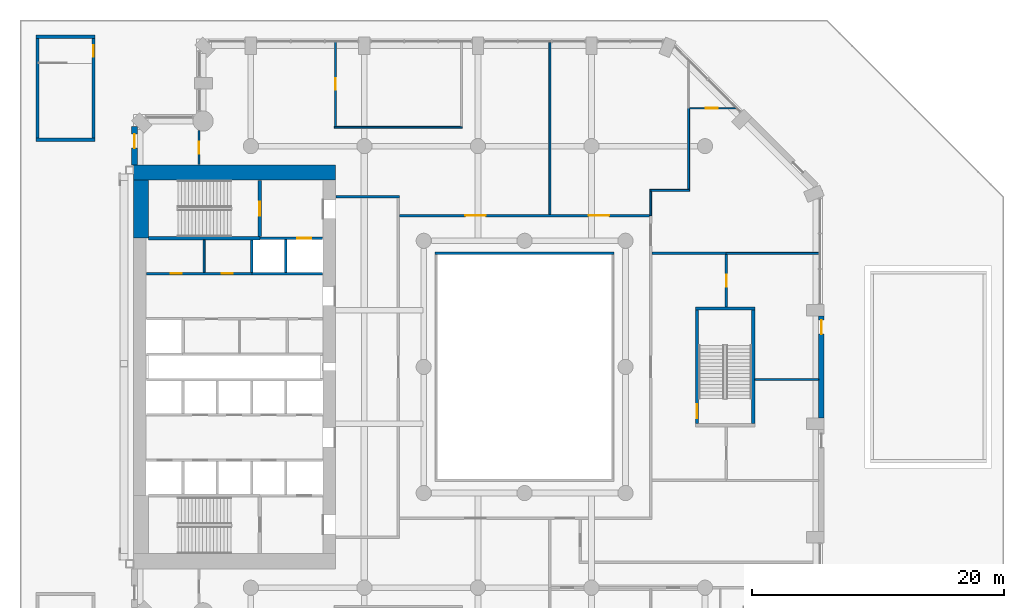
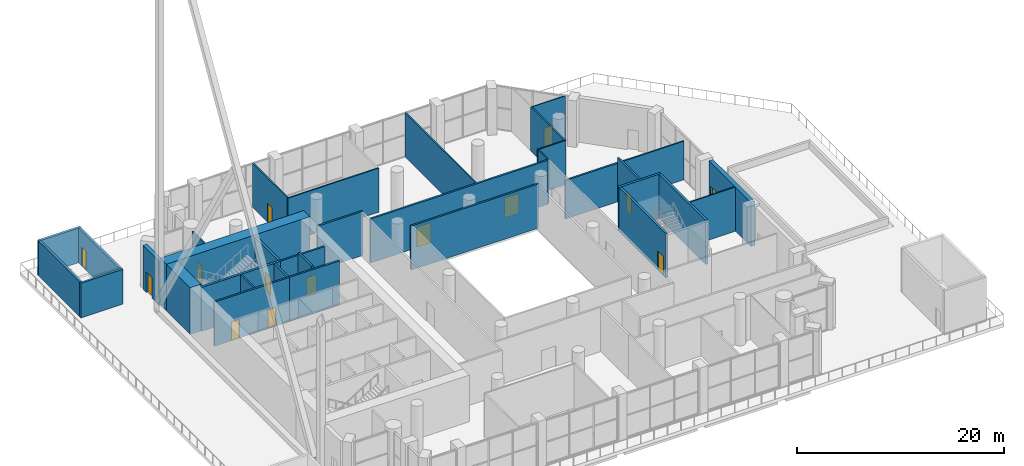
# One storey, part 15 of 26: 34 walls, 14 doors, 14 openings.
"""IFC4 building model written with IfcOpenShell, lengths in metres."""

from ifc_helpers import new_model, si_unit, direction, frame, frame_2d, origin, place, context, subcontext, project, spatial, rectangle, extrude, material, layer, layer_set, type_object, element, fill, save


model = new_model("IFC4")

# Units and contexts
model_context = context("Model", 3, precision=1e-05, world=origin(), true_north=direction((0.0, 1.0)))
body_context = subcontext(model_context, "Body", "Model", "MODEL_VIEW")
ifc_project = project(units=[si_unit("LENGTHUNIT", "METRE"), si_unit("AREAUNIT", "SQUARE_METRE"), si_unit("VOLUMEUNIT", "CUBIC_METRE"), si_unit("PLANEANGLEUNIT", "RADIAN"), si_unit("MASSUNIT", "GRAM", prefix="KILO")], contexts=[model_context])

# Site, building, storey
site_placement = place(None, origin())
site = spatial("IfcSite", under=ifc_project, at=site_placement, CompositionType="ELEMENT")
building_placement = place(site_placement, origin())
building = spatial("IfcBuilding", under=site, at=building_placement, Name="Cypress Arch Tower", CompositionType="ELEMENT")
storey_placement = place(building_placement, frame((0.0, 0.0, 50.0)))
storey = spatial("IfcBuildingStorey", under=building, at=storey_placement, Name="L06", CompositionType="ELEMENT", Elevation=50.0)

# Wall, opening, door
ifc_material_1 = material(Name="Brick (red buff blend)", Category="masonry")
ifc_layer_1 = layer(ifc_material_1, 0.449951171875)
ifc_layer_set_1 = layer_set([ifc_layer_1], Name="Brick pier and spandrel wall BW450")
wall_type_1 = type_object("IfcWallType", Name="Brick pier and spandrel wall BW450", PredefinedType="SOLIDWALL", material=ifc_layer_set_1)
wall_1_placement = place(storey_placement, frame((-29.925048828125, 19.063720703125, 0.0), z_axis=(0.0, 0.0, 1.0), x_axis=(0.0, -1.0, 0.0)))
wall_1 = element("IfcWall", 1, at=wall_1_placement, inside=storey, type_object=wall_type_1, Name="Brick wall L06 A00.0", PredefinedType="SOLIDWALL", context=body_context, shape_type="SweptSolid", body=[
    extrude(rectangle(XDim=3.063720703125, YDim=0.449951171875, at=frame_2d((1.53173828125, 0.0))), origin(), (0.0, 0.0, 1.0), 5.199951171875),
])
opening_1_placement = place(wall_1_placement, frame((0.613525390625, 0.0, 0.0)))
opening_1 = element("IfcOpeningElement", 2, at=opening_1_placement, cuts=wall_1, Name="Opening DX1100", PredefinedType="OPENING", context=body_context, shape_type="SweptSolid", body=[
    extrude(rectangle(XDim=1.10009765625, YDim=2.39990234375, at=frame_2d((0.550048828125, 1.199951171875))), frame((0.0, 0.23486328125, 0.0), z_axis=(0.0, -1.0, 0.0), x_axis=(1.0, 0.0, 0.0)), (0.0, 0.0, 1.0), 0.469970703125),
])
ifc_material_2 = material(Name="Steel, powder coated, glazed vision panel", Category="steel")
door_type_1 = type_object("IfcDoorType", Name="Exit door single 1100x2400", OperationType="SINGLE_SWING_LEFT", PredefinedType="DOOR", material=ifc_material_2)
door_1_placement = place(opening_1_placement, origin())
door_1 = element("IfcDoor", 3, at=door_1_placement, inside=storey, type_object=door_type_1, Name="Exterior door L06 A00.0.1", OperationType="SINGLE_SWING_LEFT", OverallHeight=2.39990234375, OverallWidth=1.10009765625, PredefinedType="DOOR", context=body_context, shape_type="SweptSolid", body=[
    extrude(rectangle(XDim=1.10009765625, YDim=2.39990234375, at=frame_2d((0.550048828125, 1.199951171875))), frame((0.0, 0.02490234375, 0.0), z_axis=(0.0, -1.0, 0.0), x_axis=(1.0, 0.0, 0.0)), (0.0, 0.0, 1.0), 0.050048828125),
])
fill(opening_1, door_1)

wall_2_placement = place(storey_placement, frame((24.52490234375, -4.050048828125, 0.0), z_axis=(0.0, 0.0, 1.0), x_axis=(0.0, 1.0, 0.0)))
wall_2 = element("IfcWall", 4, at=wall_2_placement, inside=storey, type_object=wall_type_1, Name="Brick wall L06 A06.2", PredefinedType="SOLIDWALL", context=body_context, shape_type="SweptSolid", body=[
    extrude(rectangle(XDim=8.10009765625, YDim=0.449951171875, at=frame_2d((4.050048828125, 0.0))), origin(), (0.0, 0.0, 1.0), 5.199951171875),
])
opening_2_placement = place(wall_2_placement, frame((6.64990234375, 0.0, 0.0)))
opening_2 = element("IfcOpeningElement", 5, at=opening_2_placement, cuts=wall_2, Name="Opening DX1100", PredefinedType="OPENING", context=body_context, shape_type="SweptSolid", body=[
    extrude(rectangle(XDim=1.10009765625, YDim=2.39990234375, at=frame_2d((0.550048828125, 1.199951171875))), frame((0.0, 0.23486328125, 0.0), z_axis=(0.0, -1.0, 0.0), x_axis=(1.0, 0.0, 0.0)), (0.0, 0.0, 1.0), 0.469970703125),
])
door_2_placement = place(opening_2_placement, origin())
door_2 = element("IfcDoor", 6, at=door_2_placement, inside=storey, type_object=door_type_1, Name="Exterior door L06 A06.2.1", OperationType="SINGLE_SWING_LEFT", OverallHeight=2.39990234375, OverallWidth=1.10009765625, PredefinedType="DOOR", context=body_context, shape_type="SweptSolid", body=[
    extrude(rectangle(XDim=1.10009765625, YDim=2.39990234375, at=frame_2d((0.550048828125, 1.199951171875))), frame((0.0, 0.02490234375, 0.0), z_axis=(0.0, -1.0, 0.0), x_axis=(1.0, 0.0, 0.0)), (0.0, 0.0, 1.0), 0.050048828125),
])
fill(opening_2, door_2)

# Walls
ifc_material_3 = material(Name="Concrete C80/95", Category="concrete")
ifc_layer_2 = layer(ifc_material_3, 1.199951171875)
ifc_layer_set_2 = layer_set([ifc_layer_2], Name="Core wall CW1200 C80/95")
wall_type_2 = type_object("IfcWallType", Name="Core wall CW1200 C80/95", PredefinedType="SHEAR", material=ifc_layer_set_2)
wall_3_placement = place(storey_placement, frame((-30.0, 15.39990234375, 0.0), z_axis=(0.0, 0.0, 1.0), x_axis=(1.0, 0.0, 0.0)))
element("IfcWall", 7, at=wall_3_placement, inside=storey, type_object=wall_type_2, Name="Core wall", PredefinedType="SHEAR", context=body_context, shape_type="SweptSolid", body=[
    extrude(rectangle(XDim=16.0, YDim=1.199951171875, at=frame_2d((8.0, 0.0))), origin(), (0.0, 0.0, 1.0), 5.5),
])
wall_4_placement = place(storey_placement, frame((-29.39990234375, 10.199951171875, 0.0), z_axis=(0.0, 0.0, 1.0), x_axis=(0.0, 1.0, 0.0)))
element("IfcWall", 8, at=wall_4_placement, inside=storey, type_object=wall_type_2, Name="Core wall", PredefinedType="SHEAR", context=body_context, shape_type="SweptSolid", body=[
    extrude(rectangle(XDim=4.60009765625, YDim=1.199951171875, at=frame_2d((2.300048828125, 0.0))), origin(), (0.0, 0.0, 1.0), 5.5),
])

# Wall, openings, doors
ifc_material_4 = material(Name="Concrete blockwork, plastered, rated", Category="masonry")
ifc_layer_3 = layer(ifc_material_4, 0.199951171875)
ifc_layer_set_3 = layer_set([ifc_layer_3], Name="Corridor wall FW200")
wall_type_3 = type_object("IfcWallType", Name="Corridor wall FW200", PredefinedType="PARTITIONING", material=ifc_layer_set_3)
wall_5_placement = place(storey_placement, frame((-28.969970703125, 7.39990234375, 0.0), z_axis=(0.0, 0.0, 1.0), x_axis=(1.0, 0.0, 0.0)))
wall_5 = element("IfcWall", 9, at=wall_5_placement, inside=storey, type_object=wall_type_3, Name="Corridor wall", PredefinedType="PARTITIONING", context=body_context, shape_type="SweptSolid", body=[
    extrude(rectangle(XDim=8.349853515625, YDim=0.199951171875, at=frame_2d((4.1748046875, 0.0))), origin(), (0.0, 0.0, 1.0), 5.199951171875),
])
opening_3_placement = place(wall_5_placement, frame((1.89990234375, 0.0, 0.0)))
opening_3 = element("IfcOpeningElement", 10, at=opening_3_placement, cuts=wall_5, Name="Opening D05", PredefinedType="OPENING", context=body_context, shape_type="SweptSolid", body=[
    extrude(rectangle(XDim=0.89990234375, YDim=2.199951171875, at=frame_2d((0.449951171875, 1.10009765625))), frame((0.0, 0.10986328125, 0.0), z_axis=(0.0, -1.0, 0.0), x_axis=(1.0, 0.0, 0.0)), (0.0, 0.0, 1.0), 0.219970703125),
])
opening_4_placement = place(wall_5_placement, frame((5.949951171875, 0.0, 0.0)))
opening_4 = element("IfcOpeningElement", 11, at=opening_4_placement, cuts=wall_5, Name="Opening D05", PredefinedType="OPENING", context=body_context, shape_type="SweptSolid", body=[
    extrude(rectangle(XDim=0.89990234375, YDim=2.199951171875, at=frame_2d((0.449951171875, 1.10009765625))), frame((0.0, 0.10986328125, 0.0), z_axis=(0.0, -1.0, 0.0), x_axis=(1.0, 0.0, 0.0)), (0.0, 0.0, 1.0), 0.219970703125),
])
ifc_material_5 = material(Name="Timber flush door", Category="wood")
door_type_2 = type_object("IfcDoorType", Name="Service door D05 900x2200", OperationType="SINGLE_SWING_LEFT", PredefinedType="DOOR", material=ifc_material_5)
door_3_placement = place(opening_3_placement, origin())
door_3 = element("IfcDoor", 12, at=door_3_placement, inside=storey, type_object=door_type_2, Name="Service door", OperationType="SINGLE_SWING_RIGHT", OverallHeight=2.199951171875, OverallWidth=0.89990234375, PredefinedType="DOOR", context=body_context, shape_type="SweptSolid", body=[
    extrude(rectangle(XDim=0.89990234375, YDim=2.199951171875, at=frame_2d((0.449951171875, 1.10009765625))), frame((0.0, 0.02490234375, 0.0), z_axis=(0.0, -1.0, 0.0), x_axis=(1.0, 0.0, 0.0)), (0.0, 0.0, 1.0), 0.050048828125),
])
fill(opening_3, door_3)
door_4_placement = place(opening_4_placement, origin())
door_4 = element("IfcDoor", 13, at=door_4_placement, inside=storey, type_object=door_type_2, Name="Service door", OperationType="SINGLE_SWING_LEFT", OverallHeight=2.199951171875, OverallWidth=0.89990234375, PredefinedType="DOOR", context=body_context, shape_type="SweptSolid", body=[
    extrude(rectangle(XDim=0.89990234375, YDim=2.199951171875, at=frame_2d((0.449951171875, 1.10009765625))), frame((0.0, 0.02490234375, 0.0), z_axis=(0.0, -1.0, 0.0), x_axis=(1.0, 0.0, 0.0)), (0.0, 0.0, 1.0), 0.050048828125),
])
fill(opening_4, door_4)

# Wall
wall_6_placement = place(storey_placement, frame((-13.969970703125, 13.5, 0.0), z_axis=(0.0, 0.0, 1.0), x_axis=(1.0, 0.0, 0.0)))
element("IfcWall", 14, at=wall_6_placement, inside=storey, type_object=wall_type_3, Name="Corridor wall", PredefinedType="PARTITIONING", context=body_context, shape_type="SweptSolid", body=[
    extrude(rectangle(XDim=5.070068359375, YDim=0.199951171875, at=frame_2d((2.53515625, 0.0))), origin(), (0.0, 0.0, 1.0), 5.199951171875),
])

# Wall, openings, doors
wall_7_placement = place(storey_placement, frame((-8.89990234375, 12.0, 0.0), z_axis=(0.0, 0.0, 1.0), x_axis=(1.0, 0.0, 0.0)))
wall_7 = element("IfcWall", 15, at=wall_7_placement, inside=storey, type_object=wall_type_3, Name="Corridor wall", PredefinedType="PARTITIONING", context=body_context, shape_type="SweptSolid", body=[
    extrude(rectangle(XDim=19.7998046875, YDim=0.199951171875, at=frame_2d((9.89990234375, 0.0))), origin(), (0.0, 0.0, 1.0), 5.199951171875),
])
opening_5_placement = place(wall_7_placement, frame((5.199951171875, 0.0, 0.0)))
opening_5 = element("IfcOpeningElement", 16, at=opening_5_placement, cuts=wall_7, Name="Opening D10", PredefinedType="OPENING", context=body_context, shape_type="SweptSolid", body=[
    extrude(rectangle(XDim=1.60009765625, YDim=2.39990234375, at=frame_2d((0.800048828125, 1.199951171875))), frame((0.0, 0.10986328125, 0.0), z_axis=(0.0, -1.0, 0.0), x_axis=(1.0, 0.0, 0.0)), (0.0, 0.0, 1.0), 0.219970703125),
])
opening_6_placement = place(wall_7_placement, frame((15.0, 0.0, 0.0)))
opening_6 = element("IfcOpeningElement", 17, at=opening_6_placement, cuts=wall_7, Name="Opening D10", PredefinedType="OPENING", context=body_context, shape_type="SweptSolid", body=[
    extrude(rectangle(XDim=1.60009765625, YDim=2.39990234375, at=frame_2d((0.800048828125, 1.199951171875))), frame((0.0, 0.10986328125, 0.0), z_axis=(0.0, -1.0, 0.0), x_axis=(1.0, 0.0, 0.0)), (0.0, 0.0, 1.0), 0.219970703125),
])
ifc_material_6 = material(Name="Black aluminium glazed door", Category="aluminium")
door_type_3 = type_object("IfcDoorType", Name="Amenity door D10 1600x2400", OperationType="DOUBLE_DOOR_SINGLE_SWING", PredefinedType="DOOR", material=ifc_material_6)
door_5_placement = place(opening_5_placement, origin())
door_5 = element("IfcDoor", 18, at=door_5_placement, inside=storey, type_object=door_type_3, Name="Amenity door", OperationType="DOUBLE_DOOR_SINGLE_SWING", OverallHeight=2.39990234375, OverallWidth=1.60009765625, PredefinedType="DOOR", context=body_context, shape_type="SweptSolid", body=[
    extrude(rectangle(XDim=1.60009765625, YDim=2.39990234375, at=frame_2d((0.800048828125, 1.199951171875))), frame((0.0, 0.02490234375, 0.0), z_axis=(0.0, -1.0, 0.0), x_axis=(1.0, 0.0, 0.0)), (0.0, 0.0, 1.0), 0.050048828125),
])
fill(opening_5, door_5)
door_6_placement = place(opening_6_placement, origin())
door_6 = element("IfcDoor", 19, at=door_6_placement, inside=storey, type_object=door_type_3, Name="Amenity door", OperationType="DOUBLE_DOOR_SINGLE_SWING", OverallHeight=2.39990234375, OverallWidth=1.60009765625, PredefinedType="DOOR", context=body_context, shape_type="SweptSolid", body=[
    extrude(rectangle(XDim=1.60009765625, YDim=2.39990234375, at=frame_2d((0.800048828125, 1.199951171875))), frame((0.0, 0.02490234375, 0.0), z_axis=(0.0, -1.0, 0.0), x_axis=(1.0, 0.0, 0.0)), (0.0, 0.0, 1.0), 0.050048828125),
])
fill(opening_6, door_6)

# Walls
wall_8_placement = place(storey_placement, frame((-6.10009765625, 9.0, 0.0), z_axis=(0.0, 0.0, 1.0), x_axis=(1.0, 0.0, 0.0)))
element("IfcWall", 20, at=wall_8_placement, inside=storey, type_object=wall_type_3, Name="Corridor wall", PredefinedType="PARTITIONING", context=body_context, shape_type="SweptSolid", body=[
    extrude(rectangle(XDim=14.2001953125, YDim=0.199951171875, at=frame_2d((7.10009765625, 0.0))), origin(), (0.0, 0.0, 1.0), 5.199951171875),
])
wall_9_placement = place(storey_placement, frame((11.10009765625, 9.0, 0.0), z_axis=(0.0, 0.0, 1.0), x_axis=(1.0, 0.0, 0.0)))
element("IfcWall", 21, at=wall_9_placement, inside=storey, type_object=wall_type_3, Name="Corridor wall", PredefinedType="PARTITIONING", context=body_context, shape_type="SweptSolid", body=[
    extrude(rectangle(XDim=5.8798828125, YDim=0.199951171875, at=frame_2d((2.93994140625, 0.0))), origin(), (0.0, 0.0, 1.0), 4.550048828125),
])

# Wall, opening, door
wall_10_placement = place(storey_placement, frame((17.0, 4.75, 0.0), z_axis=(0.0, 0.0, 1.0), x_axis=(0.0, 1.0, 0.0)))
wall_10 = element("IfcWall", 22, at=wall_10_placement, inside=storey, type_object=wall_type_3, Name="Corridor wall", PredefinedType="PARTITIONING", context=body_context, shape_type="SweptSolid", body=[
    extrude(rectangle(XDim=4.14990234375, YDim=0.199951171875, at=frame_2d((2.074951171875, 0.0))), origin(), (0.0, 0.0, 1.0), 5.199951171875),
])
opening_7_placement = place(wall_10_placement, frame((1.60009765625, 0.0, 0.0)))
opening_7 = element("IfcOpeningElement", 23, at=opening_7_placement, cuts=wall_10, Name="Opening D02", PredefinedType="OPENING", context=body_context, shape_type="SweptSolid", body=[
    extrude(rectangle(XDim=0.949951171875, YDim=2.199951171875, at=frame_2d((0.47509765625, 1.10009765625))), frame((0.0, 0.10986328125, 0.0), z_axis=(0.0, -1.0, 0.0), x_axis=(1.0, 0.0, 0.0)), (0.0, 0.0, 1.0), 0.219970703125),
])
ifc_material_7 = material(Name="Timber flush door, fire resisting", Category="wood")
door_type_4 = type_object("IfcDoorType", Name="Room door D02 950x2200", OperationType="SINGLE_SWING_LEFT", PredefinedType="DOOR", material=ifc_material_7)
door_7_placement = place(opening_7_placement, origin())
door_7 = element("IfcDoor", 24, at=door_7_placement, inside=storey, type_object=door_type_4, Name="Room door", OperationType="SINGLE_SWING_RIGHT", OverallHeight=2.199951171875, OverallWidth=0.949951171875, PredefinedType="DOOR", context=body_context, shape_type="SweptSolid", body=[
    extrude(rectangle(XDim=0.949951171875, YDim=2.199951171875, at=frame_2d((0.47509765625, 1.10009765625))), frame((0.0, 0.02490234375, 0.0), z_axis=(0.0, -1.0, 0.0), x_axis=(1.0, 0.0, 0.0)), (0.0, 0.0, 1.0), 0.050048828125),
])
fill(opening_7, door_7)

ifc_material_8 = material(Name="Blockwork, plastered both sides", Category="masonry")
ifc_layer_4 = layer(ifc_material_8, 0.14990234375)
ifc_layer_set_4 = layer_set([ifc_layer_4], Name="Partition PW150")
wall_type_4 = type_object("IfcWallType", Name="Partition PW150", PredefinedType="PARTITIONING", material=ifc_layer_set_4)
wall_11_placement = place(storey_placement, frame((-24.800048828125, 16.030029296875, 0.0), z_axis=(0.0, 0.0, 1.0), x_axis=(0.0, 1.0, 0.0)))
wall_11 = element("IfcWall", 25, at=wall_11_placement, inside=storey, type_object=wall_type_4, Name="Partition", PredefinedType="PARTITIONING", context=body_context, shape_type="SweptSolid", body=[
    extrude(rectangle(XDim=2.701904296875, YDim=0.14990234375, at=frame_2d((1.35107421875, 0.0))), origin(), (0.0, 0.0, 1.0), 5.199951171875),
])
opening_8_placement = place(wall_11_placement, frame((0.85009765625, 0.0, 0.0)))
opening_8 = element("IfcOpeningElement", 26, at=opening_8_placement, cuts=wall_11, Name="Opening D12", PredefinedType="OPENING", context=body_context, shape_type="SweptSolid", body=[
    extrude(rectangle(XDim=0.949951171875, YDim=2.199951171875, at=frame_2d((0.47509765625, 1.10009765625))), frame((0.0, 0.0849609375, 0.0), z_axis=(0.0, -1.0, 0.0), x_axis=(1.0, 0.0, 0.0)), (0.0, 0.0, 1.0), 0.169921875),
])
ifc_material_9 = material(Name="Timber flush door", Category="wood")
door_type_5 = type_object("IfcDoorType", Name="Room door D12 950x2200", OperationType="SINGLE_SWING_LEFT", PredefinedType="DOOR", material=ifc_material_9)
door_8_placement = place(opening_8_placement, origin())
door_8 = element("IfcDoor", 27, at=door_8_placement, inside=storey, type_object=door_type_5, Name="Room door", OperationType="SINGLE_SWING_LEFT", OverallHeight=2.199951171875, OverallWidth=0.949951171875, PredefinedType="DOOR", context=body_context, shape_type="SweptSolid", body=[
    extrude(rectangle(XDim=0.949951171875, YDim=2.199951171875, at=frame_2d((0.47509765625, 1.10009765625))), frame((0.0, 0.02490234375, 0.0), z_axis=(0.0, -1.0, 0.0), x_axis=(1.0, 0.0, 0.0)), (0.0, 0.0, 1.0), 0.050048828125),
])
fill(opening_8, door_8)

# Wall
wall_12_placement = place(storey_placement, frame((-24.39990234375, 7.5, 0.0), z_axis=(0.0, 0.0, 1.0), x_axis=(0.0, 1.0, 0.0)))
element("IfcWall", 28, at=wall_12_placement, inside=storey, type_object=wall_type_4, Name="Partition", PredefinedType="PARTITIONING", context=body_context, shape_type="SweptSolid", body=[
    extrude(rectangle(XDim=2.574951171875, YDim=0.14990234375, at=frame_2d((1.28759765625, 0.0))), origin(), (0.0, 0.0, 1.0), 5.199951171875),
])

# Wall, opening, door
wall_13_placement = place(storey_placement, frame((-14.0, 19.074951171875, 0.0), z_axis=(0.0, 0.0, 1.0), x_axis=(0.0, 1.0, 0.0)))
wall_13 = element("IfcWall", 29, at=wall_13_placement, inside=storey, type_object=wall_type_4, Name="Partition", PredefinedType="PARTITIONING", context=body_context, shape_type="SweptSolid", body=[
    extrude(rectangle(XDim=6.679931640625, YDim=0.14990234375, at=frame_2d((3.33984375, 0.0))), origin(), (0.0, 0.0, 1.0), 5.199951171875),
])
opening_9_placement = place(wall_13_placement, frame((2.89990234375, 0.0, 0.0)))
opening_9 = element("IfcOpeningElement", 30, at=opening_9_placement, cuts=wall_13, Name="Opening D05", PredefinedType="OPENING", context=body_context, shape_type="SweptSolid", body=[
    extrude(rectangle(XDim=0.89990234375, YDim=2.199951171875, at=frame_2d((0.449951171875, 1.10009765625))), frame((0.0, 0.0849609375, 0.0), z_axis=(0.0, -1.0, 0.0), x_axis=(1.0, 0.0, 0.0)), (0.0, 0.0, 1.0), 0.169921875),
])
door_9_placement = place(opening_9_placement, origin())
door_9 = element("IfcDoor", 31, at=door_9_placement, inside=storey, type_object=door_type_2, Name="Service door", OperationType="SINGLE_SWING_RIGHT", OverallHeight=2.199951171875, OverallWidth=0.89990234375, PredefinedType="DOOR", context=body_context, shape_type="SweptSolid", body=[
    extrude(rectangle(XDim=0.89990234375, YDim=2.199951171875, at=frame_2d((0.449951171875, 1.10009765625))), frame((0.0, 0.02490234375, 0.0), z_axis=(0.0, -1.0, 0.0), x_axis=(1.0, 0.0, 0.0)), (0.0, 0.0, 1.0), 0.050048828125),
])
fill(opening_9, door_9)

# Walls
wall_14_placement = place(storey_placement, frame((-14.074951171875, 19.0, 0.0), z_axis=(0.0, 0.0, 1.0), x_axis=(1.0, 0.0, 0.0)))
element("IfcWall", 32, at=wall_14_placement, inside=storey, type_object=wall_type_4, Name="Partition", PredefinedType="PARTITIONING", context=body_context, shape_type="SweptSolid", body=[
    extrude(rectangle(XDim=10.14990234375, YDim=0.14990234375, at=frame_2d((5.074951171875, 0.0))), origin(), (0.0, 0.0, 1.0), 5.199951171875),
])
wall_15_placement = place(storey_placement, frame((3.0, 12.10009765625, 0.0), z_axis=(0.0, 0.0, 1.0), x_axis=(0.0, 1.0, 0.0)))
element("IfcWall", 33, at=wall_15_placement, inside=storey, type_object=wall_type_4, Name="Partition", PredefinedType="PARTITIONING", context=body_context, shape_type="SweptSolid", body=[
    extrude(rectangle(XDim=13.625, YDim=0.14990234375, at=frame_2d((6.8125, 0.0))), origin(), (0.0, 0.0, 1.0), 5.199951171875),
])
wall_16_placement = place(storey_placement, frame((11.0, 12.0, 0.0), z_axis=(0.0, 0.0, 1.0), x_axis=(0.0, 1.0, 0.0)))
element("IfcWall", 34, at=wall_16_placement, inside=storey, type_object=wall_type_4, Name="Partition", PredefinedType="PARTITIONING", context=body_context, shape_type="SweptSolid", body=[
    extrude(rectangle(XDim=1.924072265625, YDim=0.14990234375, at=frame_2d((0.9619140625, 0.0))), origin(), (0.0, 0.0, 1.0), 5.199951171875),
])
wall_17_placement = place(storey_placement, frame((10.926025390625, 14.0, 0.0), z_axis=(0.0, 0.0, 1.0), x_axis=(1.0, 0.0, 0.0)))
element("IfcWall", 35, at=wall_17_placement, inside=storey, type_object=wall_type_4, Name="Partition", PredefinedType="PARTITIONING", context=body_context, shape_type="SweptSolid", body=[
    extrude(rectangle(XDim=3.14892578125, YDim=0.14990234375, at=frame_2d((1.574462890625, 0.0))), origin(), (0.0, 0.0, 1.0), 5.199951171875),
])
wall_18_placement = place(storey_placement, frame((14.0, 14.074951171875, 0.0), z_axis=(0.0, 0.0, 1.0), x_axis=(0.0, 1.0, 0.0)))
element("IfcWall", 36, at=wall_18_placement, inside=storey, type_object=wall_type_4, Name="Partition", PredefinedType="PARTITIONING", context=body_context, shape_type="SweptSolid", body=[
    extrude(rectangle(XDim=6.445068359375, YDim=0.14990234375, at=frame_2d((3.22265625, 0.0))), origin(), (0.0, 0.0, 1.0), 5.199951171875),
])
wall_19_placement = place(storey_placement, frame((16.97998046875, 9.0, 0.0), z_axis=(0.0, 0.0, 1.0), x_axis=(1.0, 0.0, 0.0)))
element("IfcWall", 37, at=wall_19_placement, inside=storey, type_object=wall_type_4, Name="Partition", PredefinedType="PARTITIONING", context=body_context, shape_type="SweptSolid", body=[
    extrude(rectangle(XDim=7.375, YDim=0.14990234375, at=frame_2d((3.6875, 0.0))), origin(), (0.0, 0.0, 1.0), 4.550048828125),
])
wall_20_placement = place(storey_placement, frame((19.25, -1.0, 0.0), z_axis=(0.0, 0.0, 1.0), x_axis=(1.0, 0.0, 0.0)))
element("IfcWall", 38, at=wall_20_placement, inside=storey, type_object=wall_type_4, Name="Partition", PredefinedType="PARTITIONING", context=body_context, shape_type="SweptSolid", body=[
    extrude(rectangle(XDim=5.050048828125, YDim=0.14990234375, at=frame_2d((2.52490234375, 0.0))), origin(), (0.0, 0.0, 1.0), 5.199951171875),
])
ifc_material_10 = material(Name="Concrete C50/60", Category="concrete")
ifc_layer_5 = layer(ifc_material_10, 0.199951171875)
ifc_layer_set_5 = layer_set([ifc_layer_5], Name="Shaft wall SH200")
wall_type_5 = type_object("IfcWallType", Name="Shaft wall SH200", PredefinedType="SHEAR", material=ifc_layer_set_5)
wall_21_placement = place(storey_placement, frame((-20.639892578125, 7.5, 0.0), z_axis=(0.0, 0.0, 1.0), x_axis=(0.0, 1.0, 0.0)))
element("IfcWall", 39, at=wall_21_placement, inside=storey, type_object=wall_type_5, Name="Shaft wall", PredefinedType="SHEAR", context=body_context, shape_type="SweptSolid", body=[
    extrude(rectangle(XDim=2.574951171875, YDim=0.199951171875, at=frame_2d((1.28759765625, 0.0))), origin(), (0.0, 0.0, 1.0), 5.199951171875),
])
wall_22_placement = place(storey_placement, frame((-20.6201171875, 7.39990234375, 0.0), z_axis=(0.0, 0.0, 1.0), x_axis=(1.0, 0.0, 0.0)))
element("IfcWall", 40, at=wall_22_placement, inside=storey, type_object=wall_type_5, Name="Shaft wall", PredefinedType="SHEAR", context=body_context, shape_type="SweptSolid", body=[
    extrude(rectangle(XDim=5.590087890625, YDim=0.199951171875, at=frame_2d((2.794921875, 0.0))), origin(), (0.0, 0.0, 1.0), 5.199951171875),
])

# Wall, opening, door
wall_23_placement = place(storey_placement, frame((-19.97998046875, 10.199951171875, 0.0), z_axis=(0.0, 0.0, 1.0), x_axis=(1.0, 0.0, 0.0)))
wall_23 = element("IfcWall", 41, at=wall_23_placement, inside=storey, type_object=wall_type_5, Name="Shaft wall", PredefinedType="SHEAR", context=body_context, shape_type="SweptSolid", body=[
    extrude(rectangle(XDim=4.949951171875, YDim=0.199951171875, at=frame_2d((2.47509765625, 0.0))), origin(), (0.0, 0.0, 1.0), 5.199951171875),
])
opening_10_placement = place(wall_23_placement, frame((2.949951171875, 0.0, 0.0)))
opening_10 = element("IfcOpeningElement", 42, at=opening_10_placement, cuts=wall_23, Name="Opening LD-FL2", PredefinedType="OPENING", context=body_context, shape_type="SweptSolid", body=[
    extrude(rectangle(XDim=1.10009765625, YDim=2.199951171875, at=frame_2d((0.550048828125, 1.10009765625))), frame((0.0, 0.10986328125, 0.0), z_axis=(0.0, -1.0, 0.0), x_axis=(1.0, 0.0, 0.0)), (0.0, 0.0, 1.0), 0.219970703125),
])
ifc_material_11 = material(Name="Stainless steel centre-opening landing door, rated", Category="steel")
door_type_6 = type_object("IfcDoorType", Name="Lift landing door LD 1100x2200", OperationType="DOUBLE_DOOR_SLIDING", PredefinedType="DOOR", material=ifc_material_11)
door_10_placement = place(opening_10_placement, origin())
door_10 = element("IfcDoor", 43, at=door_10_placement, inside=storey, type_object=door_type_6, Name="Lift landing doors FL2", OperationType="DOUBLE_DOOR_SLIDING", OverallHeight=2.199951171875, OverallWidth=1.10009765625, PredefinedType="DOOR", context=body_context, shape_type="SweptSolid", body=[
    extrude(rectangle(XDim=1.10009765625, YDim=2.199951171875, at=frame_2d((0.550048828125, 1.10009765625))), frame((0.0, 0.02490234375, 0.0), z_axis=(0.0, -1.0, 0.0), x_axis=(1.0, 0.0, 0.0)), (0.0, 0.0, 1.0), 0.050048828125),
])
fill(opening_10, door_10)

# Walls
wall_24_placement = place(storey_placement, frame((-17.919921875, 7.5, 0.0), z_axis=(0.0, 0.0, 1.0), x_axis=(0.0, 1.0, 0.0)))
element("IfcWall", 44, at=wall_24_placement, inside=storey, type_object=wall_type_5, Name="Shaft wall", PredefinedType="SHEAR", context=body_context, shape_type="SweptSolid", body=[
    extrude(rectangle(XDim=2.60009765625, YDim=0.199951171875, at=frame_2d((1.300048828125, 0.0))), origin(), (0.0, 0.0, 1.0), 5.5),
])
ifc_material_12 = material(Name="Concrete C50/60", Category="concrete")
ifc_layer_6 = layer(ifc_material_12, 0.25)
ifc_layer_set_6 = layer_set([ifc_layer_6], Name="Stair enclosure wall SW250")
wall_type_6 = type_object("IfcWallType", Name="Stair enclosure wall SW250", PredefinedType="SHEAR", material=ifc_layer_set_6)
wall_25_placement = place(storey_placement, frame((-37.625, 18.1298828125, 0.0), z_axis=(0.0, 0.0, 1.0), x_axis=(0.0, 1.0, 0.0)))
element("IfcWall", 45, at=wall_25_placement, inside=storey, type_object=wall_type_6, Name="Stair enclosure wall", PredefinedType="SHEAR", context=body_context, shape_type="SweptSolid", body=[
    extrude(rectangle(XDim=7.920166015625, YDim=0.25, at=frame_2d((3.9599609375, 0.0))), origin(), (0.0, 0.0, 1.0), 4.10009765625),
])
for number, where, z_axis, x_axis, name in (
    (46, (-37.75, 18.0048828125, 0.0), (0.0, 0.0, 1.0), (1.0, 0.0, 0.0), "Stair enclosure wall"),
    (47, (-37.75, 26.175048828125, 0.0), (0.0, 0.0, 1.0), (1.0, 0.0, 0.0), "Stair enclosure wall"),
):
    element("IfcWall", number, at=place(storey_placement, frame(where, z_axis=z_axis, x_axis=x_axis)), inside=storey, type_object=wall_type_6, Name=name, PredefinedType="SHEAR", context=body_context, shape_type="SweptSolid", body=[
        extrude(rectangle(XDim=4.699951171875, YDim=0.25, at=frame_2d((2.35009765625, 0.0))), origin(), (0.0, 0.0, 1.0), 4.10009765625),
    ])

# Wall, opening, door
wall_26_placement = place(storey_placement, frame((-33.175048828125, 18.1298828125, 0.0), z_axis=(0.0, 0.0, 1.0), x_axis=(0.0, 1.0, 0.0)))
wall_26 = element("IfcWall", 48, at=wall_26_placement, inside=storey, type_object=wall_type_6, Name="Stair enclosure wall", PredefinedType="SHEAR", context=body_context, shape_type="SweptSolid", body=[
    extrude(rectangle(XDim=7.920166015625, YDim=0.25, at=frame_2d((3.9599609375, 0.0))), origin(), (0.0, 0.0, 1.0), 4.10009765625),
])
opening_11_placement = place(wall_26_placement, frame((6.449951171875, 0.0, 0.0)))
opening_11 = element("IfcOpeningElement", 49, at=opening_11_placement, cuts=wall_26, Name="Opening D15", PredefinedType="OPENING", context=body_context, shape_type="SweptSolid", body=[
    extrude(rectangle(XDim=0.89990234375, YDim=2.199951171875, at=frame_2d((0.449951171875, 1.10009765625))), frame((0.0, 0.135009765625, 0.0), z_axis=(0.0, -1.0, 0.0), x_axis=(1.0, 0.0, 0.0)), (0.0, 0.0, 1.0), 0.27001953125),
])
ifc_material_13 = material(Name="Steel door, fire resisting, panic bar", Category="steel")
door_type_7 = type_object("IfcDoorType", Name="Stair door D15 900x2200", OperationType="SINGLE_SWING_LEFT", PredefinedType="DOOR", material=ifc_material_13)
door_11_placement = place(opening_11_placement, origin())
door_11 = element("IfcDoor", 50, at=door_11_placement, inside=storey, type_object=door_type_7, Name="Stair door", OperationType="SINGLE_SWING_LEFT", OverallHeight=2.199951171875, OverallWidth=0.89990234375, PredefinedType="DOOR", context=body_context, shape_type="SweptSolid", body=[
    extrude(rectangle(XDim=0.89990234375, YDim=2.199951171875, at=frame_2d((0.449951171875, 1.10009765625))), frame((0.0, 0.02490234375, 0.0), z_axis=(0.0, -1.0, 0.0), x_axis=(1.0, 0.0, 0.0)), (0.0, 0.0, 1.0), 0.050048828125),
])
fill(opening_11, door_11)

# Wall
wall_27_placement = place(storey_placement, frame((-28.81005859375, 10.199951171875, 0.0), z_axis=(0.0, 0.0, 1.0), x_axis=(1.0, 0.0, 0.0)))
element("IfcWall", 51, at=wall_27_placement, inside=storey, type_object=wall_type_6, Name="Stair enclosure wall", PredefinedType="SHEAR", context=body_context, shape_type="SweptSolid", body=[
    extrude(rectangle(XDim=8.830078125, YDim=0.25, at=frame_2d((4.4150390625, 0.0))), origin(), (0.0, 0.0, 1.0), 5.199951171875),
])

# Wall, opening, door
wall_28_placement = place(storey_placement, frame((-20.0, 10.324951171875, 0.0), z_axis=(0.0, 0.0, 1.0), x_axis=(0.0, 1.0, 0.0)))
wall_28 = element("IfcWall", 52, at=wall_28_placement, inside=storey, type_object=wall_type_6, Name="Stair enclosure wall", PredefinedType="SHEAR", context=body_context, shape_type="SweptSolid", body=[
    extrude(rectangle(XDim=4.445068359375, YDim=0.25, at=frame_2d((2.22265625, 0.0))), origin(), (0.0, 0.0, 1.0), 5.199951171875),
])
opening_12_placement = place(wall_28_placement, frame((1.64990234375, 0.0, 0.0)))
opening_12 = element("IfcOpeningElement", 53, at=opening_12_placement, cuts=wall_28, Name="Opening D06", PredefinedType="OPENING", context=body_context, shape_type="SweptSolid", body=[
    extrude(rectangle(XDim=1.10009765625, YDim=2.199951171875, at=frame_2d((0.550048828125, 1.10009765625))), frame((0.0, 0.135009765625, 0.0), z_axis=(0.0, -1.0, 0.0), x_axis=(1.0, 0.0, 0.0)), (0.0, 0.0, 1.0), 0.27001953125),
])
ifc_material_14 = material(Name="Steel door, fire resisting, panic bar", Category="steel")
door_type_8 = type_object("IfcDoorType", Name="Stair door D06 1100x2200", OperationType="SINGLE_SWING_LEFT", PredefinedType="DOOR", material=ifc_material_14)
door_12_placement = place(opening_12_placement, origin())
door_12 = element("IfcDoor", 54, at=door_12_placement, inside=storey, type_object=door_type_8, Name="Stair door", OperationType="SINGLE_SWING_LEFT", OverallHeight=2.199951171875, OverallWidth=1.10009765625, PredefinedType="DOOR", context=body_context, shape_type="SweptSolid", body=[
    extrude(rectangle(XDim=1.10009765625, YDim=2.199951171875, at=frame_2d((0.550048828125, 1.10009765625))), frame((0.0, 0.02490234375, 0.0), z_axis=(0.0, -1.0, 0.0), x_axis=(1.0, 0.0, 0.0)), (0.0, 0.0, 1.0), 0.050048828125),
])
fill(opening_12, door_12)

wall_29_placement = place(storey_placement, frame((14.675048828125, -4.5, 0.0), z_axis=(0.0, 0.0, 1.0), x_axis=(0.0, 1.0, 0.0)))
wall_29 = element("IfcWall", 55, at=wall_29_placement, inside=storey, type_object=wall_type_6, Name="Stair enclosure wall", PredefinedType="SHEAR", context=body_context, shape_type="SweptSolid", body=[
    extrude(rectangle(XDim=9.0, YDim=0.25, at=frame_2d((4.5, 0.0))), origin(), (0.0, 0.0, 1.0), 5.199951171875),
])
opening_13_placement = place(wall_29_placement, frame((0.449951171875, 0.0, 0.0)))
opening_13 = element("IfcOpeningElement", 56, at=opening_13_placement, cuts=wall_29, Name="Opening D06", PredefinedType="OPENING", context=body_context, shape_type="SweptSolid", body=[
    extrude(rectangle(XDim=1.10009765625, YDim=2.199951171875, at=frame_2d((0.550048828125, 1.10009765625))), frame((0.0, 0.135009765625, 0.0), z_axis=(0.0, -1.0, 0.0), x_axis=(1.0, 0.0, 0.0)), (0.0, 0.0, 1.0), 0.27001953125),
])
door_13_placement = place(opening_13_placement, origin())
door_13 = element("IfcDoor", 57, at=door_13_placement, inside=storey, type_object=door_type_8, Name="Stair door", OperationType="SINGLE_SWING_RIGHT", OverallHeight=2.199951171875, OverallWidth=1.10009765625, PredefinedType="DOOR", context=body_context, shape_type="SweptSolid", body=[
    extrude(rectangle(XDim=1.10009765625, YDim=2.199951171875, at=frame_2d((0.550048828125, 1.10009765625))), frame((0.0, 0.02490234375, 0.0), z_axis=(0.0, -1.0, 0.0), x_axis=(1.0, 0.0, 0.0)), (0.0, 0.0, 1.0), 0.050048828125),
])
fill(opening_13, door_13)

# Walls
wall_30_placement = place(storey_placement, frame((14.550048828125, 4.625, 0.0), z_axis=(0.0, 0.0, 1.0), x_axis=(1.0, 0.0, 0.0)))
element("IfcWall", 58, at=wall_30_placement, inside=storey, type_object=wall_type_6, Name="Stair enclosure wall", PredefinedType="SHEAR", context=body_context, shape_type="SweptSolid", body=[
    extrude(rectangle(XDim=4.699951171875, YDim=0.25, at=frame_2d((2.35009765625, 0.0))), origin(), (0.0, 0.0, 1.0), 5.199951171875),
])
wall_31_placement = place(storey_placement, frame((19.125, -4.5, 0.0), z_axis=(0.0, 0.0, 1.0), x_axis=(0.0, 1.0, 0.0)))
element("IfcWall", 59, at=wall_31_placement, inside=storey, type_object=wall_type_6, Name="Stair enclosure wall", PredefinedType="SHEAR", context=body_context, shape_type="SweptSolid", body=[
    extrude(rectangle(XDim=9.0, YDim=0.25, at=frame_2d((4.5, 0.0))), origin(), (0.0, 0.0, 1.0), 5.199951171875),
])

# Wall, opening, door
ifc_material_15 = material(Name="Moisture resistant board on steel studs, tiled", Category="steel")
ifc_layer_7 = layer(ifc_material_15, 0.10009765625)
ifc_layer_set_7 = layer_set([ifc_layer_7], Name="Wet wall PW100")
wall_type_7 = type_object("IfcWallType", Name="Wet wall PW100", PredefinedType="PARTITIONING", material=ifc_layer_set_7)
wall_32_placement = place(storey_placement, frame((14.074951171875, 20.5, 0.0), z_axis=(0.0, 0.0, 1.0), x_axis=(1.0, 0.0, 0.0)))
wall_32 = element("IfcWall", 60, at=wall_32_placement, inside=storey, type_object=wall_type_7, Name="Wet wall", PredefinedType="PARTITIONING", context=body_context, shape_type="SweptSolid", body=[
    extrude(rectangle(XDim=3.678466796875, YDim=0.10009765625, at=frame_2d((1.83935546875, 0.0))), origin(), (0.0, 0.0, 1.0), 5.199951171875),
])
opening_14_placement = place(wall_32_placement, frame((1.300048828125, 0.0, 0.0)))
opening_14 = element("IfcOpeningElement", 61, at=opening_14_placement, cuts=wall_32, Name="Opening D12", PredefinedType="OPENING", context=body_context, shape_type="SweptSolid", body=[
    extrude(rectangle(XDim=0.949951171875, YDim=2.199951171875, at=frame_2d((0.47509765625, 1.10009765625))), frame((0.0, 0.06005859375, 0.0), z_axis=(0.0, -1.0, 0.0), x_axis=(1.0, 0.0, 0.0)), (0.0, 0.0, 1.0), 0.1201171875),
])
door_14_placement = place(opening_14_placement, origin())
door_14 = element("IfcDoor", 62, at=door_14_placement, inside=storey, type_object=door_type_5, Name="Room door", OperationType="SINGLE_SWING_LEFT", OverallHeight=2.199951171875, OverallWidth=0.949951171875, PredefinedType="DOOR", context=body_context, shape_type="SweptSolid", body=[
    extrude(rectangle(XDim=0.949951171875, YDim=2.199951171875, at=frame_2d((0.47509765625, 1.10009765625))), frame((0.0, 0.02490234375, 0.0), z_axis=(0.0, -1.0, 0.0), x_axis=(1.0, 0.0, 0.0)), (0.0, 0.0, 1.0), 0.050048828125),
])
fill(opening_14, door_14)

save(model, "model.ifc")
